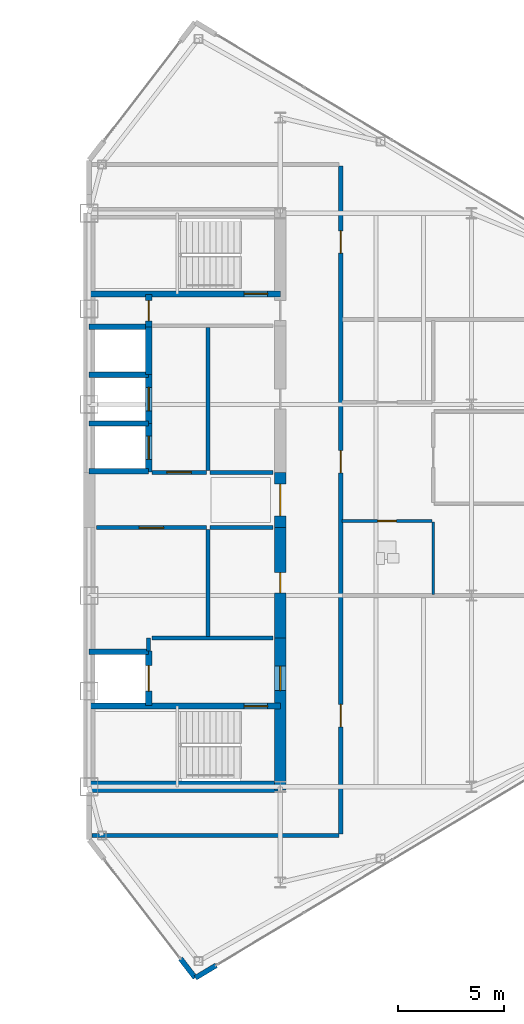
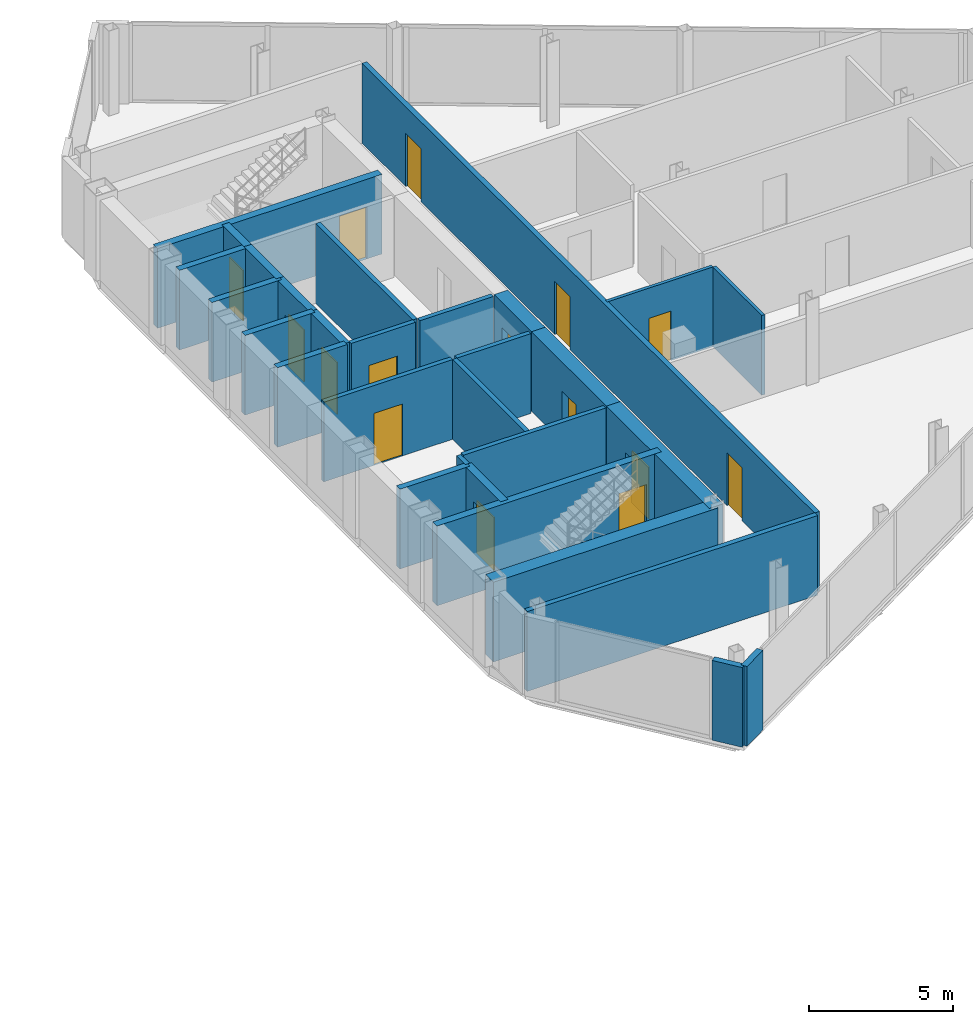
# One storey, part 21 of 25: 30 walls, 15 doors, 15 openings.
"""IFC4 building model written with IfcOpenShell, lengths in metres."""

import ifcopenshell
import ifcopenshell.guid

model = None  # the IFC model being written
_history = None  # IfcOwnerHistory: only IFC2X3 demands one
_inside = {}  # id of a spatial element -> (the spatial element, [elements in it])
_under = {}  # id of a project, library or spatial element -> (it, [spatial elements below it])
_declared = {}  # id of a project -> (the project, [libraries it declares])
_typed = {}  # id of a type object -> (the type object, [elements of that type])
_made_of = {}  # id of a material, layer set ... -> (it, [elements and type objects made of it])


def new_model(schema):
    """Start an empty IFC model of exactly this schema.

    Asked for "IFC4X3", IfcOpenShell would pick the latest addendum, in which some entities
    have other attributes; the version numbers below select the first issue.
    IFC2X3 requires an IfcOwnerHistory on every rooted entity: one is made here for all.
    """
    global model, _history
    if schema == "IFC4X3":
        model = ifcopenshell.file(schema_version=(4, 3, 0, 0))
    else:
        model = ifcopenshell.file(schema=schema)
    _inside.clear()
    _under.clear()
    _declared.clear()
    _typed.clear()
    _made_of.clear()
    _history = None
    if model.schema == "IFC2X3":
        org = make("IfcOrganization", Name="unknown")
        user = make(
            "IfcPersonAndOrganization",
            ThePerson=make("IfcPerson", FamilyName="unknown"),
            TheOrganization=org,
        )
        app = make(
            "IfcApplication",
            ApplicationDeveloper=org,
            Version="unknown",
            ApplicationFullName="unknown",
            ApplicationIdentifier="unknown",
        )
        _history = make(
            "IfcOwnerHistory",
            OwningUser=user,
            OwningApplication=app,
            ChangeAction="ADDED",
            CreationDate=0,
        )
    return model


def make(cls, **values):
    """One entity of the class cls with the attributes given. An attribute that is None is left unset."""
    return model.create_entity(
        cls, **{name: value for name, value in values.items() if value is not None}
    )


def rooted(cls, **values):
    """An entity with a GlobalId (a new one), such as an element, a storey or a relation."""
    return make(cls, GlobalId=ifcopenshell.guid.new(), OwnerHistory=_history, **values)


def si_unit(unit_type, name, prefix=None):
    """IfcSIUnit, for example si_unit("LENGTHUNIT", "METRE", prefix="MILLI")."""
    return make("IfcSIUnit", UnitType=unit_type, Prefix=prefix, Name=name)


def assignment(units):
    """IfcUnitAssignment: the units of a project."""
    return None if units is None else make("IfcUnitAssignment", Units=units)


def point(xyz):
    """IfcCartesianPoint."""
    return None if xyz is None else make("IfcCartesianPoint", Coordinates=xyz)


def direction(xyz):
    """IfcDirection."""
    return None if xyz is None else make("IfcDirection", DirectionRatios=xyz)


def frame(location, z_axis=None, x_axis=None):
    """IfcAxis2Placement3D, a coordinate frame: its origin and axes. An axis left out is left unset."""
    return make(
        "IfcAxis2Placement3D",
        Location=point(location),
        Axis=direction(z_axis),
        RefDirection=direction(x_axis),
    )


def frame_2d(location, x_axis=None):
    """IfcAxis2Placement2D, a coordinate frame in the plane: its origin and x axis."""
    return make(
        "IfcAxis2Placement2D", Location=point(location), RefDirection=direction(x_axis)
    )


def origin():
    """The frame at (0, 0, 0) with its axes left unset."""
    return frame((0.0, 0.0, 0.0))


def place(relative_to, where):
    """IfcLocalPlacement: puts the frame where relative to a parent placement (None: the world)."""
    return make(
        "IfcLocalPlacement", PlacementRelTo=relative_to, RelativePlacement=where
    )


def context(
    kind, dimensions, precision=None, world=None, true_north=None, identifier=None
):
    """IfcGeometricRepresentationContext, for example the 3D "Model" context."""
    return make(
        "IfcGeometricRepresentationContext",
        ContextIdentifier=identifier,
        ContextType=kind,
        CoordinateSpaceDimension=dimensions,
        Precision=precision,
        WorldCoordinateSystem=world,
        TrueNorth=true_north,
    )


def subcontext(parent, identifier, kind, view, scale=None):
    """IfcGeometricRepresentationSubContext, for example "Body" below "Model"."""
    return make(
        "IfcGeometricRepresentationSubContext",
        ContextIdentifier=identifier,
        ContextType=kind,
        ParentContext=parent,
        TargetScale=scale,
        TargetView=view,
    )


def project(units=None, contexts=None):
    """IfcProject with its units and contexts."""
    return rooted(
        "IfcProject",
        Name="project",
        RepresentationContexts=contexts,
        UnitsInContext=assignment(units),
    )


def spatial(cls, under=None, at=None, **own):
    """A site, building, storey or space (cls), placed at a placement, below another one or the project."""
    s = rooted(cls, ObjectPlacement=at, **own)
    if under is not None:
        _under.setdefault(under.id(), (under, []))[1].append(s)
    return s


def profile(cls, at=None, kind="AREA", **sizes):
    """A parametric profile (cls). Its sizes go by their IFC names, for example OverallWidth=200.0."""
    return make(cls, ProfileType=kind, Position=at, **sizes)


def rectangle(**sizes):
    """IfcRectangleProfileDef."""
    return profile("IfcRectangleProfileDef", **sizes)


def extrude(swept, where, along, depth):
    """IfcExtrudedAreaSolid: the profile swept, set in the frame where, extruded along a direction by depth."""
    return make(
        "IfcExtrudedAreaSolid",
        SweptArea=swept,
        Position=where,
        ExtrudedDirection=direction(along),
        Depth=depth,
    )


def shape(context_of_items, identifier, shape_type, items):
    """IfcShapeRepresentation: the items that make up one representation, for example the "Body"."""
    return make(
        "IfcShapeRepresentation",
        ContextOfItems=context_of_items,
        RepresentationIdentifier=identifier,
        RepresentationType=shape_type,
        Items=items,
    )


def source(mapping_origin, context_of_items, identifier, shape_type, items):
    """IfcRepresentationMap: a shape defined once, which mapped items show again and again."""
    return make(
        "IfcRepresentationMap",
        MappingOrigin=mapping_origin,
        MappedRepresentation=shape(context_of_items, identifier, shape_type, items),
    )


def transform(
    local_origin,
    x_axis=None,
    y_axis=None,
    z_axis=None,
    scale=None,
    scale2=None,
    scale3=None,
    uniform=True,
):
    """IfcCartesianTransformationOperator3D, or its non-uniform kind. x_axis, y_axis, z_axis: its Axis1, 2, 3."""
    if uniform:
        return make(
            "IfcCartesianTransformationOperator3D",
            Axis1=direction(x_axis),
            Axis2=direction(y_axis),
            LocalOrigin=point(local_origin),
            Scale=scale,
            Axis3=direction(z_axis),
        )
    return make(
        "IfcCartesianTransformationOperator3DnonUniform",
        Axis1=direction(x_axis),
        Axis2=direction(y_axis),
        LocalOrigin=point(local_origin),
        Scale=scale,
        Axis3=direction(z_axis),
        Scale2=scale2,
        Scale3=scale3,
    )


def mapped(mapping_source, mapping_target):
    """IfcMappedItem: shows the shape of a source again, moved by a transform."""
    return make(
        "IfcMappedItem", MappingSource=mapping_source, MappingTarget=mapping_target
    )


def material(Name=None, Category=None):
    """IfcMaterial."""
    return make("IfcMaterial", Name=Name, Category=Category)


def layer(
    of_material, thickness, ventilated=None, Name=None, Category=None, Priority=None
):
    """IfcMaterialLayer: one layer of a wall or slab, of a material (None: an air gap)."""
    return make(
        "IfcMaterialLayer",
        Material=of_material,
        LayerThickness=thickness,
        IsVentilated=ventilated,
        Name=Name,
        Category=Category,
        Priority=Priority,
    )


def layer_set(layers, Name=None):
    """IfcMaterialLayerSet."""
    return make("IfcMaterialLayerSet", MaterialLayers=layers, LayerSetName=Name)


def made_of(thing, what):
    """Note that an element or type object is made of a material, layer set ...; save() writes the relation."""
    if what is not None:
        _made_of.setdefault(what.id(), (what, []))[1].append(thing)
    return thing


def type_object(cls, material=None, **own):
    """A type object (cls), such as IfcWallType, which elements share."""
    return made_of(rooted(cls, **own), material)


def type_shapes(of_type, sources):
    """Give a type object the sources (RepresentationMaps) that its elements show as mapped items."""
    of_type.RepresentationMaps = sources


def element(
    cls,
    number,
    at=None,
    inside=None,
    cuts=None,
    type_object=None,
    material=None,
    context=None,
    identifier="Body",
    shape_type=None,
    held_by="IfcProductDefinitionShape",
    body=None,
    shapes=None,
    **own,
):
    """One element of the class cls, such as IfcWall. Its Tag is "e" and its number.

    at: its placement. inside: the storey or other place that contains it. cuts: it is an
    opening in that element (IfcRelVoidsElement). A single representation is given by context,
    identifier, shape_type and body (its items); several are given by shapes. held_by: the class
    of the entity that holds the representations. save() writes the other relations.
    """
    e = rooted(cls, Tag="e%d" % number, ObjectPlacement=at, **own)
    if body is not None:
        shapes = [shape(context, identifier, shape_type, body)]
    if shapes is not None:
        e.Representation = make(held_by, Representations=shapes)
    if inside is not None:
        _inside.setdefault(inside.id(), (inside, []))[1].append(e)
    if cuts is not None:
        rooted(
            "IfcRelVoidsElement", RelatingBuildingElement=cuts, RelatedOpeningElement=e
        )
    if type_object is not None:
        _typed.setdefault(type_object.id(), (type_object, []))[1].append(e)
    return made_of(e, material)


def fill(opening, filler):
    """IfcRelFillsElement: the door or window that sits in an opening."""
    return rooted(
        "IfcRelFillsElement",
        RelatingOpeningElement=opening,
        RelatedBuildingElement=filler,
    )


def aggregate(whole, parts):
    """IfcRelAggregates: a whole, such as a stair, and the parts it consists of."""
    return rooted("IfcRelAggregates", RelatingObject=whole, RelatedObjects=parts)


def save(model, path):
    """Write the relations noted so far, then the file.

    IfcRelAggregates (storeys below a building ...), IfcRelContainedInSpatialStructure (elements
    in a storey), IfcRelDefinesByType, IfcRelAssociatesMaterial and IfcRelDeclares: one each for
    every whole, place, type object, material and project.
    """
    for whole, parts in _under.values():
        aggregate(whole, parts)
    for where, things in _inside.values():
        rooted(
            "IfcRelContainedInSpatialStructure",
            RelatedElements=things,
            RelatingStructure=where,
        )
    for kind, things in _typed.values():
        rooted("IfcRelDefinesByType", RelatedObjects=things, RelatingType=kind)
    for what, things in _made_of.values():
        rooted("IfcRelAssociatesMaterial", RelatedObjects=things, RelatingMaterial=what)
    for by, libraries in _declared.values():
        rooted("IfcRelDeclares", RelatingContext=by, RelatedDefinitions=libraries)
    model.write(path)


model = new_model("IFC4")

# Units and contexts
model_context = context("Model", 3, precision=1e-05, world=origin(), true_north=direction((0.0, 1.0)))
body_context = subcontext(model_context, "Body", "Model", "MODEL_VIEW")
ifc_project = project(units=[si_unit("LENGTHUNIT", "METRE"), si_unit("AREAUNIT", "SQUARE_METRE"), si_unit("VOLUMEUNIT", "CUBIC_METRE"), si_unit("PLANEANGLEUNIT", "RADIAN"), si_unit("MASSUNIT", "GRAM", prefix="KILO")], contexts=[model_context])

# Site, building, storey
site_placement = place(None, origin())
site = spatial("IfcSite", under=ifc_project, at=site_placement, CompositionType="ELEMENT")
building_placement = place(site_placement, origin())
building = spatial("IfcBuilding", under=site, at=building_placement, Name="Seokmaru Belvedere", CompositionType="ELEMENT")
storey_placement = place(building_placement, frame((0.0, 0.0, 203.10009765625)))
storey = spatial("IfcBuildingStorey", under=building, at=storey_placement, Name="L54", CompositionType="ELEMENT", Elevation=203.10009765625)

# Walls
ifc_material_1 = material(Name="Fire-Rated Gypsum Shaftwall")
ifc_layer_1 = layer(ifc_material_1, 0.179931640625)
ifc_layer_set_1 = layer_set([ifc_layer_1], Name="Fire-Rated Gypsum Shaftwall")
wall_type_1 = type_object("IfcWallType", Name="Core Service Fire Partition 180", PredefinedType="PARTITIONING", material=ifc_layer_set_1)
wall_1_placement = place(storey_placement, frame((30.449951171875, -6.5, 0.0), z_axis=(0.0, 0.0, 1.0), x_axis=(1.0, 0.0, 0.0)))
element("IfcWall", 1, at=wall_1_placement, inside=storey, type_object=wall_type_1, Name="L54 East Firefighting Lobby Partition", PredefinedType="PARTITIONING", context=body_context, shape_type="SweptSolid", body=[
    extrude(rectangle(XDim=5.699951171875, YDim=0.179931640625, at=frame_2d((2.85009765625, 0.0))), origin(), (0.0, 0.0, 1.0), 3.3798828125),
])
wall_2_placement = place(storey_placement, frame((30.300048828125, -7.1201171875, 0.0), z_axis=(0.0, 0.0, 1.0), x_axis=(0.0, 1.0, 0.0)))
element("IfcWall", 2, at=wall_2_placement, inside=storey, type_object=wall_type_1, Name="L54 East Firefighting Lobby East Closure Wall", PredefinedType="PARTITIONING", context=body_context, shape_type="SweptSolid", body=[
    extrude(rectangle(XDim=0.6201171875, YDim=0.179931640625, at=frame_2d((0.31005859375, 0.0))), origin(), (0.0, 0.0, 1.0), 3.3798828125),
])
wall_3_placement = place(storey_placement, frame((33.10009765625, -6.419921875, 0.0), z_axis=(0.0, 0.0, 1.0), x_axis=(0.0, 1.0, 0.0)))
element("IfcWall", 3, at=wall_3_placement, inside=storey, type_object=wall_type_1, Name="L54 East South Core Service Back Wall", PredefinedType="PARTITIONING", context=body_context, shape_type="SweptSolid", body=[
    extrude(rectangle(XDim=5.0400390625, YDim=0.179931640625, at=frame_2d((2.52001953125, 0.0))), origin(), (0.0, 0.0, 1.0), 3.3798828125),
])
wall_4_placement = place(storey_placement, frame((33.10009765625, 1.3798828125, 0.0), z_axis=(0.0, 0.0, 1.0), x_axis=(0.0, 1.0, 0.0)))
element("IfcWall", 4, at=wall_4_placement, inside=storey, type_object=wall_type_1, Name="L54 East North Core Service Back Wall", PredefinedType="PARTITIONING", context=body_context, shape_type="SweptSolid", body=[
    extrude(rectangle(XDim=6.740234375, YDim=0.179931640625, at=frame_2d((3.3701171875, 0.0))), origin(), (0.0, 0.0, 1.0), 3.3798828125),
])

# Wall, opening, door
wall_5_placement = place(storey_placement, frame((27.85009765625, -1.300048828125, 0.0), z_axis=(0.0, 0.0, 1.0), x_axis=(1.0, 0.0, 0.0)))
wall_5 = element("IfcWall", 5, at=wall_5_placement, inside=storey, type_object=wall_type_1, Name="L54 East South Lift Lobby Foyer Wall", PredefinedType="PARTITIONING", context=body_context, shape_type="SweptSolid", body=[
    extrude(rectangle(XDim=5.169921875, YDim=0.179931640625, at=frame_2d((2.5849609375, 0.0))), origin(), (0.0, 0.0, 1.0), 3.3798828125),
])
opening_1_placement = place(wall_5_placement, frame((2.010009765625, 0.0, 0.0)))
opening_1 = element("IfcOpeningElement", 6, at=opening_1_placement, cuts=wall_5, Name="Opening D02", PredefinedType="OPENING", context=body_context, shape_type="SweptSolid", body=[
    extrude(rectangle(XDim=1.14990234375, YDim=2.199951171875, at=frame_2d((0.574951171875, 1.10009765625))), frame((0.0, 0.10009765625, 0.0), z_axis=(0.0, -1.0, 0.0), x_axis=(1.0, 0.0, 0.0)), (0.0, 0.0, 1.0), 0.199951171875),
])
ifc_material_2 = material(Name="Fire-Rated Steel Leaf", Category="steel")
door_type_1 = type_object("IfcDoorType", Name="Lobby and Vestibule Fire Door 1150x2200", OperationType="NOTDEFINED", PredefinedType="DOOR", material=ifc_material_2)
shared_shape_1 = source(origin(), body_context, "Body", "SweptSolid", [
    extrude(rectangle(XDim=1.14990234375, YDim=2.199951171875, at=frame_2d((0.574951171875, 1.10009765625))), frame((0.0, 0.02490234375, 0.0), z_axis=(0.0, -1.0, 0.0), x_axis=(1.0, 0.0, 0.0)), (0.0, 0.0, 1.0), 0.050048828125),
])
type_shapes(door_type_1, [shared_shape_1])
door_1_placement = place(opening_1_placement, origin())
door_1 = element("IfcDoor", 7, at=door_1_placement, inside=storey, type_object=door_type_1, Name="L54 East South Core Foyer Door", OperationType="SINGLE_SWING_RIGHT", OverallHeight=2.199951171875, OverallWidth=1.14990234375, PredefinedType="DOOR", context=body_context, shape_type="MappedRepresentation", body=[
    mapped(shared_shape_1, transform((0.0, 0.0, 0.0), scale=1.0)),
])
fill(opening_1, door_1)

wall_6_placement = place(storey_placement, frame((30.449951171875, 1.300048828125, 0.0), z_axis=(0.0, 0.0, 1.0), x_axis=(1.0, 0.0, 0.0)))
wall_6 = element("IfcWall", 8, at=wall_6_placement, inside=storey, type_object=wall_type_1, Name="L54 East North Lift Lobby Foyer Wall", PredefinedType="PARTITIONING", context=body_context, shape_type="SweptSolid", body=[
    extrude(rectangle(XDim=2.570068359375, YDim=0.179931640625, at=frame_2d((1.28515625, 0.0))), origin(), (0.0, 0.0, 1.0), 3.3798828125),
])
opening_2_placement = place(wall_6_placement, frame((0.7099609375, 0.0, 0.0)))
opening_2 = element("IfcOpeningElement", 9, at=opening_2_placement, cuts=wall_6, Name="Opening D02", PredefinedType="OPENING", context=body_context, shape_type="SweptSolid", body=[
    extrude(rectangle(XDim=1.14990234375, YDim=2.199951171875, at=frame_2d((0.574951171875, 1.10009765625))), frame((0.0, 0.10009765625, 0.0), z_axis=(0.0, -1.0, 0.0), x_axis=(1.0, 0.0, 0.0)), (0.0, 0.0, 1.0), 0.199951171875),
])
door_2_placement = place(opening_2_placement, origin())
door_2 = element("IfcDoor", 10, at=door_2_placement, inside=storey, type_object=door_type_1, Name="L54 East North Lift Lobby Door", OperationType="SINGLE_SWING_LEFT", OverallHeight=2.199951171875, OverallWidth=1.14990234375, PredefinedType="DOOR", context=body_context, shape_type="MappedRepresentation", body=[
    mapped(shared_shape_1, transform((0.0, 0.0, 0.0), scale=1.0)),
])
fill(opening_2, door_2)

# Walls
for number, where, z_axis, x_axis, name in (
    (11, (33.199951171875, -1.300048828125, 0.0), (0.0, 0.0, 1.0), (1.0, 0.0, 0.0), "L54 East Foyer Side Wall S"),
    (12, (33.199951171875, 1.300048828125, 0.0), (0.0, 0.0, 1.0), (1.0, 0.0, 0.0), "L54 East Foyer Side Wall N"),
):
    element("IfcWall", number, at=place(storey_placement, frame(where, z_axis=z_axis, x_axis=x_axis)), inside=storey, type_object=wall_type_1, Name=name, PredefinedType="PARTITIONING", context=body_context, shape_type="SweptSolid", body=[
        extrude(rectangle(XDim=2.949951171875, YDim=0.179931640625, at=frame_2d((1.47509765625, 0.0))), origin(), (0.0, 0.0, 1.0), 3.3798828125),
    ])
ifc_material_3 = material(Name="Concrete C50 (50 MPa)", Category="concrete")
ifc_layer_2 = layer(ifc_material_3, 0.25)
ifc_layer_set_2 = layer_set([ifc_layer_2], Name="Concrete C50 (50 MPa)")
wall_type_2 = type_object("IfcWallType", Name="Hoistway Transverse Concrete Divider Wall 250", PredefinedType="SHEAR", material=ifc_layer_set_2)
for number, where, z_axis, x_axis, name in (
    (13, (27.5, -7.14990234375, 0.0), (0.0, 0.0, 1.0), (1.0, 0.0, 0.0), "L54 East Hoistway Divider Core Wall 1"),
    (14, (27.5, 1.35009765625, 0.0), (0.0, 0.0, 1.0), (1.0, 0.0, 0.0), "L54 East Hoistway Divider Core Wall 2"),
    (15, (27.5, 3.60009765625, 0.0), (0.0, 0.0, 1.0), (1.0, 0.0, 0.0), "L54 East Hoistway Divider Core Wall 3"),
    (16, (27.5, 5.89990234375, 0.0), (0.0, 0.0, 1.0), (1.0, 0.0, 0.0), "L54 East Hoistway Divider Core Wall 4"),
    (17, (27.5, 8.14990234375, 0.0), (0.0, 0.0, 1.0), (1.0, 0.0, 0.0), "L54 East Hoistway Divider Core Wall 5"),
):
    element("IfcWall", number, at=place(storey_placement, frame(where, z_axis=z_axis, x_axis=x_axis)), inside=storey, type_object=wall_type_2, Name=name, PredefinedType="SHEAR", context=body_context, shape_type="SweptSolid", body=[
        extrude(rectangle(XDim=2.800048828125, YDim=0.25, at=frame_2d((1.39990234375, 0.0))), origin(), (0.0, 0.0, 1.0), 3.3798828125),
    ])
ifc_layer_3 = layer(ifc_material_1, 0.199951171875)
ifc_layer_set_3 = layer_set([ifc_layer_3], Name="Fire-Rated Gypsum Shaftwall")
wall_type_3 = type_object("IfcWallType", Name="Inter-Tenancy Fire Compartment Partition 200", PredefinedType="PARTITIONING", material=ifc_layer_set_3)
wall_7_placement = place(storey_placement, frame((27.625, -15.800048828125, 0.0), z_axis=(0.0, 0.0, 1.0), x_axis=(1.0, 0.0, 0.0)))
element("IfcWall", 18, at=wall_7_placement, inside=storey, type_object=wall_type_3, Name="L54 Interior Partition 002", PredefinedType="PARTITIONING", context=body_context, shape_type="SweptSolid", body=[
    extrude(rectangle(XDim=11.639892578125, YDim=0.199951171875, at=frame_2d((5.81982421875, 0.0))), origin(), (0.0, 0.0, 1.0), 3.3798828125),
])

# Wall, openings, doors
wall_8_placement = place(storey_placement, frame((39.35009765625, -15.715087890625, 0.0), z_axis=(0.0, 0.0, 1.0), x_axis=(0.0, 1.0, 0.0)))
wall_8 = element("IfcWall", 19, at=wall_8_placement, inside=storey, type_object=wall_type_3, Name="L54 Interior Partition 019", PredefinedType="PARTITIONING", context=body_context, shape_type="SweptSolid", body=[
    extrude(rectangle(XDim=31.43017578125, YDim=0.199951171875, at=frame_2d((15.715087890625, 0.0))), origin(), (0.0, 0.0, 1.0), 3.3798828125),
])
opening_3_placement = place(wall_8_placement, frame((5.0400390625, 0.0, 0.0)))
opening_3 = element("IfcOpeningElement", 20, at=opening_3_placement, cuts=wall_8, Name="Opening D03", PredefinedType="OPENING", context=body_context, shape_type="SweptSolid", body=[
    extrude(rectangle(XDim=1.050048828125, YDim=2.25, at=frame_2d((0.52490234375, 1.125))), frame((0.0, 0.10986328125, 0.0), z_axis=(0.0, -1.0, 0.0), x_axis=(1.0, 0.0, 0.0)), (0.0, 0.0, 1.0), 0.219970703125),
])
opening_4_placement = place(wall_8_placement, frame((16.9951171875, 0.0, 0.0)))
opening_4 = element("IfcOpeningElement", 21, at=opening_4_placement, cuts=wall_8, Name="Opening D03", PredefinedType="OPENING", context=body_context, shape_type="SweptSolid", body=[
    extrude(rectangle(XDim=1.050048828125, YDim=2.25, at=frame_2d((0.52490234375, 1.125))), frame((0.0, 0.10986328125, 0.0), z_axis=(0.0, -1.0, 0.0), x_axis=(1.0, 0.0, 0.0)), (0.0, 0.0, 1.0), 0.219970703125),
])
opening_5_placement = place(wall_8_placement, frame((27.340087890625, 0.0, 0.0)))
opening_5 = element("IfcOpeningElement", 22, at=opening_5_placement, cuts=wall_8, Name="Opening D03", PredefinedType="OPENING", context=body_context, shape_type="SweptSolid", body=[
    extrude(rectangle(XDim=1.050048828125, YDim=2.25, at=frame_2d((0.52490234375, 1.125))), frame((0.0, 0.10986328125, 0.0), z_axis=(0.0, -1.0, 0.0), x_axis=(1.0, 0.0, 0.0)), (0.0, 0.0, 1.0), 0.219970703125),
])
door_type_2 = type_object("IfcDoorType", Name="Apartment Entrance Fire Door 1050x2250", OperationType="NOTDEFINED", PredefinedType="DOOR", material=ifc_material_2)
shared_shape_2 = source(origin(), body_context, "Body", "SweptSolid", [
    extrude(rectangle(XDim=1.050048828125, YDim=2.25, at=frame_2d((0.52490234375, 1.125))), frame((0.0, 0.02490234375, 0.0), z_axis=(0.0, -1.0, 0.0), x_axis=(1.0, 0.0, 0.0)), (0.0, 0.0, 1.0), 0.050048828125),
])
type_shapes(door_type_2, [shared_shape_2])
door_3_placement = place(opening_3_placement, origin())
door_3 = element("IfcDoor", 23, at=door_3_placement, inside=storey, type_object=door_type_2, Name="L54 Interior Door 009", OperationType="SINGLE_SWING_LEFT", OverallHeight=2.25, OverallWidth=1.050048828125, PredefinedType="DOOR", context=body_context, shape_type="MappedRepresentation", body=[
    mapped(shared_shape_2, transform((0.0, 0.0, 0.0), scale=1.0)),
])
fill(opening_3, door_3)
door_4_placement = place(opening_4_placement, origin())
door_4 = element("IfcDoor", 24, at=door_4_placement, inside=storey, type_object=door_type_2, Name="L54 Interior Door 010", OperationType="SINGLE_SWING_RIGHT", OverallHeight=2.25, OverallWidth=1.050048828125, PredefinedType="DOOR", context=body_context, shape_type="MappedRepresentation", body=[
    mapped(shared_shape_2, transform((0.0, 0.0, 0.0), scale=1.0)),
])
fill(opening_4, door_4)
door_5_placement = place(opening_5_placement, origin())
door_5 = element("IfcDoor", 25, at=door_5_placement, inside=storey, type_object=door_type_2, Name="L54 Interior Door 019", OperationType="SINGLE_SWING_LEFT", OverallHeight=2.25, OverallWidth=1.050048828125, PredefinedType="DOOR", context=body_context, shape_type="MappedRepresentation", body=[
    mapped(shared_shape_2, transform((0.0, 0.0, 0.0), scale=1.0)),
])
fill(opening_5, door_5)

# Wall, opening, door
ifc_layer_4 = layer(ifc_material_3, 0.300048828125)
ifc_layer_set_4 = layer_set([ifc_layer_4], Name="Concrete C50 (50 MPa)")
wall_type_4 = type_object("IfcWallType", Name="Internal Core Stair and Hoistway Wall 300", PredefinedType="SHEAR", material=ifc_layer_set_4)
wall_9_placement = place(storey_placement, frame((27.5, -9.699951171875, 0.0), z_axis=(0.0, 0.0, 1.0), x_axis=(1.0, 0.0, 0.0)))
wall_9 = element("IfcWall", 26, at=wall_9_placement, inside=storey, type_object=wall_type_4, Name="L54 East Stair ST-1 Enclosure Wall", PredefinedType="SHEAR", context=body_context, shape_type="SweptSolid", body=[
    extrude(rectangle(XDim=9.0, YDim=0.300048828125, at=frame_2d((4.5, 0.0))), origin(), (0.0, 0.0, 1.0), 3.3798828125),
])
opening_6_placement = place(wall_9_placement, frame((7.300048828125, 0.0, 0.0)))
opening_6 = element("IfcOpeningElement", 27, at=opening_6_placement, cuts=wall_9, Name="Opening D01", PredefinedType="OPENING", context=body_context, shape_type="SweptSolid", body=[
    extrude(rectangle(XDim=1.10009765625, YDim=2.199951171875, at=frame_2d((0.550048828125, 1.10009765625))), frame((0.0, 0.16015625, 0.0), z_axis=(0.0, -1.0, 0.0), x_axis=(1.0, 0.0, 0.0)), (0.0, 0.0, 1.0), 0.320068359375),
])
door_type_3 = type_object("IfcDoorType", Name="Special Escape Stair Smokeproof Fire Door 1100x2200", OperationType="NOTDEFINED", PredefinedType="DOOR", material=ifc_material_2)
shared_shape_3 = source(origin(), body_context, "Body", "SweptSolid", [
    extrude(rectangle(XDim=1.10009765625, YDim=2.199951171875, at=frame_2d((0.550048828125, 1.10009765625))), frame((0.0, 0.02490234375, 0.0), z_axis=(0.0, -1.0, 0.0), x_axis=(1.0, 0.0, 0.0)), (0.0, 0.0, 1.0), 0.050048828125),
])
type_shapes(door_type_3, [shared_shape_3])
door_6_placement = place(opening_6_placement, frame((1.10009765625, 0.0, 0.0), z_axis=(0.0, 0.0, 1.0), x_axis=(-1.0, 0.0, 0.0)))
door_6 = element("IfcDoor", 28, at=door_6_placement, inside=storey, type_object=door_type_3, Name="L54 East Special Escape Stair ST-1 Door", OperationType="SINGLE_SWING_RIGHT", OverallHeight=2.199951171875, OverallWidth=1.10009765625, PredefinedType="DOOR", context=body_context, shape_type="MappedRepresentation", body=[
    mapped(shared_shape_3, transform((0.0, 0.0, 0.0), scale=1.0)),
])
fill(opening_6, door_6)

wall_10_placement = place(storey_placement, frame((27.5, 9.699951171875, 0.0), z_axis=(0.0, 0.0, 1.0), x_axis=(1.0, 0.0, 0.0)))
wall_10 = element("IfcWall", 29, at=wall_10_placement, inside=storey, type_object=wall_type_4, Name="L54 East Stair ST-2 Enclosure Wall", PredefinedType="SHEAR", context=body_context, shape_type="SweptSolid", body=[
    extrude(rectangle(XDim=9.0, YDim=0.300048828125, at=frame_2d((4.5, 0.0))), origin(), (0.0, 0.0, 1.0), 3.3798828125),
])
opening_7_placement = place(wall_10_placement, frame((7.300048828125, 0.0, 0.0)))
opening_7 = element("IfcOpeningElement", 30, at=opening_7_placement, cuts=wall_10, Name="Opening D01", PredefinedType="OPENING", context=body_context, shape_type="SweptSolid", body=[
    extrude(rectangle(XDim=1.10009765625, YDim=2.199951171875, at=frame_2d((0.550048828125, 1.10009765625))), frame((0.0, 0.16015625, 0.0), z_axis=(0.0, -1.0, 0.0), x_axis=(1.0, 0.0, 0.0)), (0.0, 0.0, 1.0), 0.320068359375),
])
door_7_placement = place(opening_7_placement, origin())
door_7 = element("IfcDoor", 31, at=door_7_placement, inside=storey, type_object=door_type_3, Name="L54 East Special Escape Stair ST-2 Door", OperationType="SINGLE_SWING_LEFT", OverallHeight=2.199951171875, OverallWidth=1.10009765625, PredefinedType="DOOR", context=body_context, shape_type="MappedRepresentation", body=[
    mapped(shared_shape_3, transform((0.0, 0.0, 0.0), scale=1.0)),
])
fill(opening_7, door_7)

wall_11_placement = place(storey_placement, frame((30.300048828125, -9.679931640625, 0.0), z_axis=(0.0, 0.0, 1.0), x_axis=(0.0, 1.0, 0.0)))
wall_11 = element("IfcWall", 32, at=wall_11_placement, inside=storey, type_object=wall_type_4, Name="L54 East Firefighting Lift Shaft Front Wall", PredefinedType="SHEAR", context=body_context, shape_type="SweptSolid", body=[
    extrude(rectangle(XDim=2.559814453125, YDim=0.300048828125, at=frame_2d((1.27978515625, 0.0))), origin(), (0.0, 0.0, 1.0), 3.3798828125),
])
opening_8_placement = place(wall_11_placement, frame((0.679931640625, 0.0, 0.0)))
opening_8 = element("IfcOpeningElement", 33, at=opening_8_placement, cuts=wall_11, Name="Opening LD2", PredefinedType="OPENING", context=body_context, shape_type="SweptSolid", body=[
    extrude(rectangle(XDim=1.199951171875, YDim=2.25, at=frame_2d((0.60009765625, 1.125))), frame((0.0, 0.16015625, 0.0), z_axis=(0.0, -1.0, 0.0), x_axis=(1.0, 0.0, 0.0)), (0.0, 0.0, 1.0), 0.320068359375),
])
ifc_material_4 = material(Name="Stainless Steel 316", Category="steel")
door_type_4 = type_object("IfcDoorType", Name="Firefighting Lift Sliding Landing Door 1200x2250", OperationType="DOUBLE_DOOR_SLIDING", PredefinedType="DOOR", material=ifc_material_4)
shared_shape_4 = source(origin(), body_context, "Body", "SweptSolid", [
    extrude(rectangle(XDim=1.199951171875, YDim=2.25, at=frame_2d((0.60009765625, 1.125))), frame((0.0, 0.02490234375, 0.0), z_axis=(0.0, -1.0, 0.0), x_axis=(1.0, 0.0, 0.0)), (0.0, 0.0, 1.0), 0.050048828125),
])
type_shapes(door_type_4, [shared_shape_4])
door_8_placement = place(opening_8_placement, origin())
door_8 = element("IfcDoor", 34, at=door_8_placement, inside=storey, type_object=door_type_4, Name="L54 East Firefighting Lift Landing Door", OperationType="DOUBLE_DOOR_SLIDING", OverallHeight=2.25, OverallWidth=1.199951171875, PredefinedType="DOOR", context=body_context, shape_type="MappedRepresentation", body=[
    mapped(shared_shape_4, transform((0.0, 0.0, 0.0), scale=1.0)),
])
fill(opening_8, door_8)

wall_12_placement = place(storey_placement, frame((30.300048828125, 1.320068359375, 0.0), z_axis=(0.0, 0.0, 1.0), x_axis=(0.0, 1.0, 0.0)))
wall_12 = element("IfcWall", 35, at=wall_12_placement, inside=storey, type_object=wall_type_4, Name="L54 East North Hoistway Wall PH1", PredefinedType="SHEAR", context=body_context, shape_type="SweptSolid", body=[
    extrude(rectangle(XDim=2.280029296875, YDim=0.300048828125, at=frame_2d((1.14013671875, 0.0))), origin(), (0.0, 0.0, 1.0), 3.3798828125),
])
opening_9_placement = place(wall_12_placement, frame((0.590087890625, 0.0, 0.0)))
opening_9 = element("IfcOpeningElement", 36, at=opening_9_placement, cuts=wall_12, Name="Opening LD1", PredefinedType="OPENING", context=body_context, shape_type="SweptSolid", body=[
    extrude(rectangle(XDim=1.10009765625, YDim=2.199951171875, at=frame_2d((0.550048828125, 1.10009765625))), frame((0.0, 0.16015625, 0.0), z_axis=(0.0, -1.0, 0.0), x_axis=(1.0, 0.0, 0.0)), (0.0, 0.0, 1.0), 0.320068359375),
])
door_type_5 = type_object("IfcDoorType", Name="Passenger Lift Sliding Landing Door 1100x2200", OperationType="DOUBLE_DOOR_SLIDING", PredefinedType="DOOR", material=ifc_material_4)
shared_shape_5 = source(origin(), body_context, "Body", "SweptSolid", [
    extrude(rectangle(XDim=1.10009765625, YDim=2.199951171875, at=frame_2d((0.550048828125, 1.10009765625))), frame((0.0, 0.02490234375, 0.0), z_axis=(0.0, -1.0, 0.0), x_axis=(1.0, 0.0, 0.0)), (0.0, 0.0, 1.0), 0.050048828125),
])
type_shapes(door_type_5, [shared_shape_5])
door_9_placement = place(opening_9_placement, origin())
door_9 = element("IfcDoor", 37, at=door_9_placement, inside=storey, type_object=door_type_5, Name="L54 East High-Rise Lift PH-1 Landing Door", OperationType="DOUBLE_DOOR_SLIDING", OverallHeight=2.199951171875, OverallWidth=1.10009765625, PredefinedType="DOOR", context=body_context, shape_type="MappedRepresentation", body=[
    mapped(shared_shape_5, transform((0.0, 0.0, 0.0), scale=1.0)),
])
fill(opening_9, door_9)

wall_13_placement = place(storey_placement, frame((30.300048828125, 3.60009765625, 0.0), z_axis=(0.0, 0.0, 1.0), x_axis=(0.0, 1.0, 0.0)))
wall_13 = element("IfcWall", 38, at=wall_13_placement, inside=storey, type_object=wall_type_4, Name="L54 East North Hoistway Wall PH2", PredefinedType="SHEAR", context=body_context, shape_type="SweptSolid", body=[
    extrude(rectangle(XDim=2.2998046875, YDim=0.300048828125, at=frame_2d((1.14990234375, 0.0))), origin(), (0.0, 0.0, 1.0), 3.3798828125),
])
opening_10_placement = place(wall_13_placement, frame((0.60009765625, 0.0, 0.0)))
opening_10 = element("IfcOpeningElement", 39, at=opening_10_placement, cuts=wall_13, Name="Opening LD1", PredefinedType="OPENING", context=body_context, shape_type="SweptSolid", body=[
    extrude(rectangle(XDim=1.10009765625, YDim=2.199951171875, at=frame_2d((0.550048828125, 1.10009765625))), frame((0.0, 0.16015625, 0.0), z_axis=(0.0, -1.0, 0.0), x_axis=(1.0, 0.0, 0.0)), (0.0, 0.0, 1.0), 0.320068359375),
])
door_10_placement = place(opening_10_placement, origin())
door_10 = element("IfcDoor", 40, at=door_10_placement, inside=storey, type_object=door_type_5, Name="L54 East High-Rise Lift PH-2 Landing Door", OperationType="DOUBLE_DOOR_SLIDING", OverallHeight=2.199951171875, OverallWidth=1.10009765625, PredefinedType="DOOR", context=body_context, shape_type="MappedRepresentation", body=[
    mapped(shared_shape_5, transform((0.0, 0.0, 0.0), scale=1.0)),
])
fill(opening_10, door_10)

# Wall
wall_14_placement = place(storey_placement, frame((30.300048828125, 5.89990234375, 0.0), z_axis=(0.0, 0.0, 1.0), x_axis=(0.0, 1.0, 0.0)))
element("IfcWall", 41, at=wall_14_placement, inside=storey, type_object=wall_type_4, Name="L54 East North Hoistway Wall OBS", PredefinedType="SHEAR", context=body_context, shape_type="SweptSolid", body=[
    extrude(rectangle(XDim=2.25, YDim=0.300048828125, at=frame_2d((1.125, 0.0))), origin(), (0.0, 0.0, 1.0), 3.3798828125),
])

# Wall, opening, door
wall_15_placement = place(storey_placement, frame((30.300048828125, 8.14990234375, 0.0), z_axis=(0.0, 0.0, 1.0), x_axis=(0.0, 1.0, 0.0)))
wall_15 = element("IfcWall", 42, at=wall_15_placement, inside=storey, type_object=wall_type_4, Name="L54 East Electrical Riser Front Wall", PredefinedType="SHEAR", context=body_context, shape_type="SweptSolid", body=[
    extrude(rectangle(XDim=1.530029296875, YDim=0.300048828125, at=frame_2d((0.76513671875, 0.0))), origin(), (0.0, 0.0, 1.0), 3.3798828125),
])
opening_11_placement = place(wall_15_placement, frame((0.284912109375, 0.0, 0.0)))
opening_11 = element("IfcOpeningElement", 43, at=opening_11_placement, cuts=wall_15, Name="Opening D04", PredefinedType="OPENING", context=body_context, shape_type="SweptSolid", body=[
    extrude(rectangle(XDim=0.949951171875, YDim=2.14990234375, at=frame_2d((0.47509765625, 1.074951171875))), frame((0.0, 0.16015625, 0.0), z_axis=(0.0, -1.0, 0.0), x_axis=(1.0, 0.0, 0.0)), (0.0, 0.0, 1.0), 0.320068359375),
])
door_type_6 = type_object("IfcDoorType", Name="Core Service Room Fire Door 950x2150", OperationType="NOTDEFINED", PredefinedType="DOOR", material=ifc_material_2)
shared_shape_6 = source(origin(), body_context, "Body", "SweptSolid", [
    extrude(rectangle(XDim=0.949951171875, YDim=2.14990234375, at=frame_2d((0.47509765625, 1.074951171875))), frame((0.0, 0.02490234375, 0.0), z_axis=(0.0, -1.0, 0.0), x_axis=(1.0, 0.0, 0.0)), (0.0, 0.0, 1.0), 0.050048828125),
])
type_shapes(door_type_6, [shared_shape_6])
door_11_placement = place(opening_11_placement, origin())
door_11 = element("IfcDoor", 44, at=door_11_placement, inside=storey, type_object=door_type_6, Name="L54 East Electrical Riser Access Door", OperationType="SINGLE_SWING_RIGHT", OverallHeight=2.14990234375, OverallWidth=0.949951171875, PredefinedType="DOOR", context=body_context, shape_type="MappedRepresentation", body=[
    mapped(shared_shape_6, transform((0.0, 0.0, 0.0), scale=1.0)),
])
fill(opening_11, door_11)

# Wall
ifc_layer_5 = layer(ifc_material_3, 0.550048828125)
ifc_layer_set_5 = layer_set([ifc_layer_5], Name="Concrete C50 (50 MPa)")
wall_type_5 = type_object("IfcWallType", Name="Mid-High Reinforced Concrete Core Wall 550", PredefinedType="SHEAR", material=ifc_layer_set_5)
wall_16_placement = place(storey_placement, frame((27.5, -13.5, 0.0), z_axis=(0.0, 0.0, 1.0), x_axis=(1.0, 0.0, 0.0)))
element("IfcWall", 45, at=wall_16_placement, inside=storey, type_object=wall_type_5, Name="L54 East South Core Wall", PredefinedType="SHEAR", context=body_context, shape_type="SweptSolid", body=[
    extrude(rectangle(XDim=9.0, YDim=0.550048828125, at=frame_2d((4.5, 0.0))), origin(), (0.0, 0.0, 1.0), 3.3798828125),
])

# Wall, opening, door
wall_17_placement = place(storey_placement, frame((36.5, -13.64990234375, 0.0), z_axis=(0.0, 0.0, 1.0), x_axis=(0.0, 1.0, 0.0)))
wall_17 = element("IfcWall", 46, at=wall_17_placement, inside=storey, type_object=wall_type_5, Name="L54 East West Core Wall FF", PredefinedType="SHEAR", context=body_context, shape_type="SweptSolid", body=[
    extrude(rectangle(XDim=7.14990234375, YDim=0.550048828125, at=frame_2d((3.574951171875, 0.0))), origin(), (0.0, 0.0, 1.0), 3.3798828125),
])
opening_12_placement = place(wall_17_placement, frame((4.675048828125, 0.0, 0.0)))
opening_12 = element("IfcOpeningElement", 47, at=opening_12_placement, cuts=wall_17, Name="Opening D02", PredefinedType="OPENING", context=body_context, shape_type="SweptSolid", body=[
    extrude(rectangle(XDim=1.14990234375, YDim=2.199951171875, at=frame_2d((0.574951171875, 1.10009765625))), frame((0.0, 0.28515625, 0.0), z_axis=(0.0, -1.0, 0.0), x_axis=(1.0, 0.0, 0.0)), (0.0, 0.0, 1.0), 0.570068359375),
])
door_12_placement = place(opening_12_placement, origin())
door_12 = element("IfcDoor", 48, at=door_12_placement, inside=storey, type_object=door_type_1, Name="L54 East Firefighting Lobby Door", OperationType="SINGLE_SWING_RIGHT", OverallHeight=2.199951171875, OverallWidth=1.14990234375, PredefinedType="DOOR", context=body_context, shape_type="MappedRepresentation", body=[
    mapped(shared_shape_1, transform((0.0, 0.0, 0.0), scale=1.0)),
])
fill(opening_12, door_12)

wall_18_placement = place(storey_placement, frame((36.5, -1.300048828125, 0.0), z_axis=(0.0, 0.0, 1.0), x_axis=(0.0, 1.0, 0.0)))
wall_18 = element("IfcWall", 49, at=wall_18_placement, inside=storey, type_object=wall_type_5, Name="L54 East West Core Wall FOY", PredefinedType="SHEAR", context=body_context, shape_type="SweptSolid", body=[
    extrude(rectangle(XDim=2.60009765625, YDim=0.550048828125, at=frame_2d((1.300048828125, 0.0))), origin(), (0.0, 0.0, 1.0), 3.3798828125),
])
opening_13_placement = place(wall_18_placement, frame((0.550048828125, 0.0, 0.0)))
opening_13 = element("IfcOpeningElement", 50, at=opening_13_placement, cuts=wall_18, Name="Opening D08", PredefinedType="OPENING", context=body_context, shape_type="SweptSolid", body=[
    extrude(rectangle(XDim=1.5, YDim=2.300048828125, at=frame_2d((0.75, 1.14990234375))), frame((0.0, 0.28515625, 0.0), z_axis=(0.0, -1.0, 0.0), x_axis=(1.0, 0.0, 0.0)), (0.0, 0.0, 1.0), 0.570068359375),
])
door_type_7 = type_object("IfcDoorType", Name="Cross-Corridor Compartment Double Fire Door 1500x2300", OperationType="DOUBLE_SWING_LEFT", PredefinedType="DOOR", material=ifc_material_2)
shared_shape_7 = source(origin(), body_context, "Body", "SweptSolid", [
    extrude(rectangle(XDim=1.5, YDim=2.300048828125, at=frame_2d((0.75, 1.14990234375))), frame((0.0, 0.02490234375, 0.0), z_axis=(0.0, -1.0, 0.0), x_axis=(1.0, 0.0, 0.0)), (0.0, 0.0, 1.0), 0.050048828125),
])
type_shapes(door_type_7, [shared_shape_7])
door_13_placement = place(opening_13_placement, origin())
door_13 = element("IfcDoor", 51, at=door_13_placement, inside=storey, type_object=door_type_7, Name="L54 East Core Foyer Compartment Door", OperationType="DOUBLE_SWING_LEFT", OverallHeight=2.300048828125, OverallWidth=1.5, PredefinedType="DOOR", context=body_context, shape_type="MappedRepresentation", body=[
    mapped(shared_shape_7, transform((0.0, 0.0, 0.0), scale=1.0)),
])
fill(opening_13, door_13)

wall_19_placement = place(storey_placement, frame((36.5, -6.5, 0.0), z_axis=(0.0, 0.0, 1.0), x_axis=(0.0, 1.0, 0.0)))
wall_19 = element("IfcWall", 52, at=wall_19_placement, inside=storey, type_object=wall_type_5, Name="L54 East West Core Wall CS1", PredefinedType="SHEAR", context=body_context, shape_type="SweptSolid", body=[
    extrude(rectangle(XDim=5.199951171875, YDim=0.550048828125, at=frame_2d((2.60009765625, 0.0))), origin(), (0.0, 0.0, 1.0), 3.3798828125),
])
opening_14_placement = place(wall_19_placement, frame((2.125, 0.0, 0.0)))
opening_14 = element("IfcOpeningElement", 53, at=opening_14_placement, cuts=wall_19, Name="Opening D04", PredefinedType="OPENING", context=body_context, shape_type="SweptSolid", body=[
    extrude(rectangle(XDim=0.949951171875, YDim=2.14990234375, at=frame_2d((0.47509765625, 1.074951171875))), frame((0.0, 0.28515625, 0.0), z_axis=(0.0, -1.0, 0.0), x_axis=(1.0, 0.0, 0.0)), (0.0, 0.0, 1.0), 0.570068359375),
])
door_14_placement = place(opening_14_placement, origin())
door_14 = element("IfcDoor", 54, at=door_14_placement, inside=storey, type_object=door_type_6, Name="L54 East Core Service Room Door 1", OperationType="SINGLE_SWING_RIGHT", OverallHeight=2.14990234375, OverallWidth=0.949951171875, PredefinedType="DOOR", context=body_context, shape_type="MappedRepresentation", body=[
    mapped(shared_shape_6, transform((0.0, 0.0, 0.0), scale=1.0)),
])
fill(opening_14, door_14)

ifc_layer_6 = layer(ifc_material_1, 0.1298828125)
ifc_layer_set_6 = layer_set([ifc_layer_6], Name="Fire-Rated Gypsum Shaftwall")
wall_type_6 = type_object("IfcWallType", Name="Moisture-Resistant Fire-Rated Bathroom Partition 130", PredefinedType="PARTITIONING", material=ifc_layer_set_6)
wall_20_placement = place(storey_placement, frame((39.39990234375, -0.989990234375, 0.0), z_axis=(0.0, 0.0, 1.0), x_axis=(1.0, 0.0, 0.0)))
wall_20 = element("IfcWall", 55, at=wall_20_placement, inside=storey, type_object=wall_type_6, Name="L54 Interior Partition 008", PredefinedType="PARTITIONING", context=body_context, shape_type="SweptSolid", body=[
    extrude(rectangle(XDim=4.25, YDim=0.1298828125, at=frame_2d((2.125, 0.0))), origin(), (0.0, 0.0, 1.0), 3.3798828125),
])
opening_15_placement = place(wall_20_placement, frame((1.68505859375, 0.0, 0.0)))
opening_15 = element("IfcOpeningElement", 56, at=opening_15_placement, cuts=wall_20, Name="Opening D06", PredefinedType="OPENING", context=body_context, shape_type="SweptSolid", body=[
    extrude(rectangle(XDim=0.8798828125, YDim=2.10009765625, at=frame_2d((0.43994140625, 1.050048828125))), frame((0.0, 0.074951171875, 0.0), z_axis=(0.0, -1.0, 0.0), x_axis=(1.0, 0.0, 0.0)), (0.0, 0.0, 1.0), 0.14990234375),
])
ifc_material_5 = material(Name="Engineered White Oak Timber", Category="wood")
door_type_8 = type_object("IfcDoorType", Name="Bathroom and Restroom Fire-Rated Door 880x2100", OperationType="NOTDEFINED", PredefinedType="DOOR", material=ifc_material_5)
shared_shape_8 = source(origin(), body_context, "Body", "SweptSolid", [
    extrude(rectangle(XDim=0.8798828125, YDim=2.10009765625, at=frame_2d((0.43994140625, 1.050048828125))), frame((0.0, 0.02490234375, 0.0), z_axis=(0.0, -1.0, 0.0), x_axis=(1.0, 0.0, 0.0)), (0.0, 0.0, 1.0), 0.050048828125),
])
type_shapes(door_type_8, [shared_shape_8])
door_15_placement = place(opening_15_placement, origin())
door_15 = element("IfcDoor", 57, at=door_15_placement, inside=storey, type_object=door_type_8, Name="L54 Interior Door 011", OperationType="SINGLE_SWING_RIGHT", OverallHeight=2.10009765625, OverallWidth=0.8798828125, PredefinedType="DOOR", context=body_context, shape_type="MappedRepresentation", body=[
    mapped(shared_shape_8, transform((0.0, 0.0, 0.0), scale=1.0)),
])
fill(opening_15, door_15)

# Walls
wall_21_placement = place(storey_placement, frame((43.699951171875, -4.449951171875, 0.0), z_axis=(0.0, 0.0, 1.0), x_axis=(0.0, 1.0, 0.0)))
element("IfcWall", 58, at=wall_21_placement, inside=storey, type_object=wall_type_6, Name="L54 Interior Partition 020", PredefinedType="PARTITIONING", context=body_context, shape_type="SweptSolid", body=[
    extrude(rectangle(XDim=3.407958984375, YDim=0.1298828125, at=frame_2d((1.7041015625, 0.0))), origin(), (0.0, 0.0, 1.0), 3.3798828125),
])
ifc_material_6 = material(Name="Anodised Bronze Aluminium", Category="aluminium")
ifc_layer_7 = layer(ifc_material_6, 0.239990234375)
ifc_layer_set_7 = layer_set([ifc_layer_7], Name="Anodised Bronze Aluminium")
wall_type_7 = type_object("IfcWallType", Name="Tower Corner Spandrel Closure Wall 240", PredefinedType="SOLIDWALL", material=ifc_layer_set_7)
for number, where, z_axis, x_axis, name in (
    (59, (32.508544921875, -22.494873046875, 0.0), (0.0, 0.0, 1.0), (0.85743623509, 0.514590228002, 0.0), "L54 E Corner Closure Pier 1A"),
    (60, (31.798828125, -21.58837890625, 0.0), (0.0, 0.0, 1.0), (0.609617623633, -0.792695624408, 0.0), "L54 E Corner Closure Pier 6B"),
):
    element("IfcWall", number, at=place(storey_placement, frame(where, z_axis=z_axis, x_axis=x_axis)), inside=storey, type_object=wall_type_7, Name=name, PredefinedType="SOLIDWALL", context=body_context, shape_type="SweptSolid", body=[
        extrude(rectangle(XDim=1.14013671875, YDim=0.239990234375, at=frame_2d((0.570068359375, 0.0))), origin(), (0.0, 0.0, 1.0), 3.3798828125),
    ])

save(model, "model.ifc")
